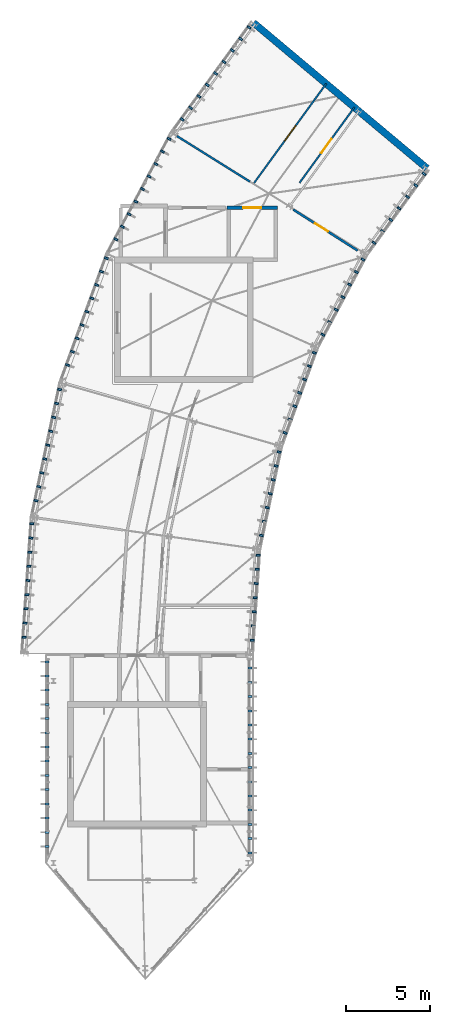
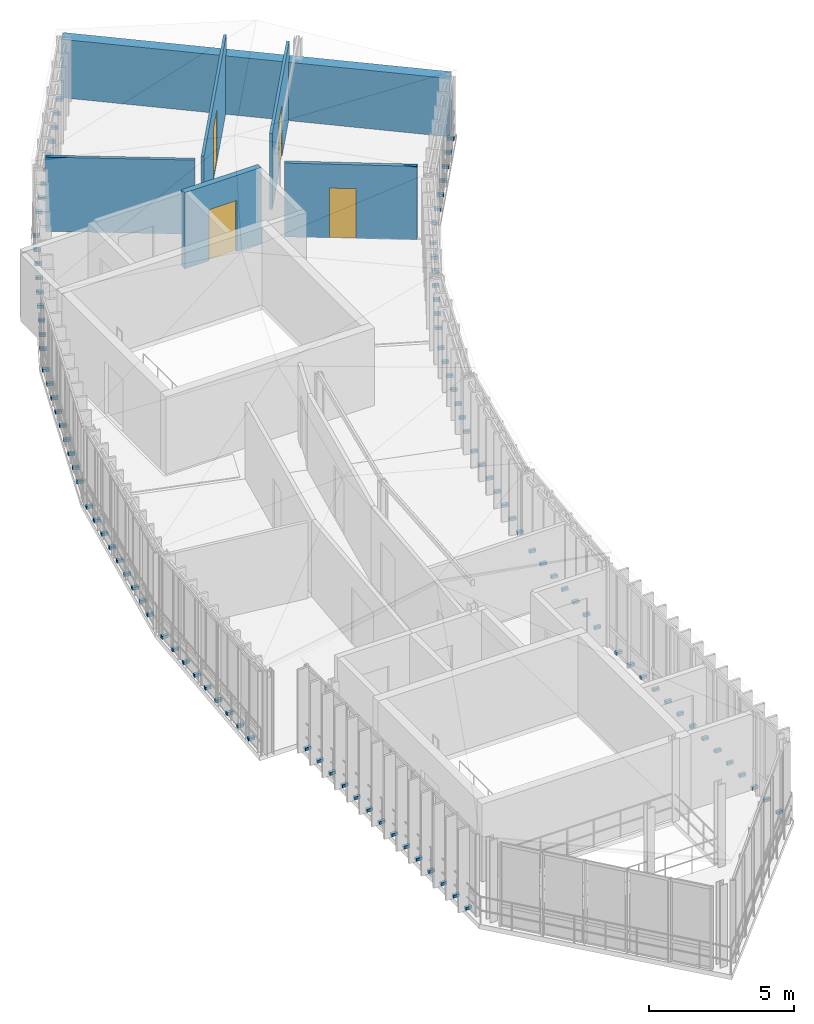
# One storey, part 15 of 18: 108 discrete accessories, 6 walls, 4 doors, 4 openings.
"""IFC4 building model written with IfcOpenShell, lengths in metres."""

from ifc_helpers import new_model, si_unit, direction, frame, frame_2d, origin, origin_2d, place, context, subcontext, project, spatial, rectangle, extrude, material, layer, layer_set, type_object, element, fill, save


model = new_model("IFC4")

# Units and contexts
model_context = context("Model", 3, precision=1e-05, world=origin(), true_north=direction((0.0, 1.0)))
body_context = subcontext(model_context, "Body", "Model", "MODEL_VIEW")
ifc_project = project(units=[si_unit("LENGTHUNIT", "METRE"), si_unit("AREAUNIT", "SQUARE_METRE"), si_unit("VOLUMEUNIT", "CUBIC_METRE"), si_unit("PLANEANGLEUNIT", "RADIAN"), si_unit("MASSUNIT", "GRAM", prefix="KILO"), si_unit("THERMODYNAMICTEMPERATUREUNIT", "KELVIN"), si_unit("POWERUNIT", "WATT")], contexts=[model_context])

# Site, building, storey
site_placement = place(None, origin())
site = spatial("IfcSite", under=ifc_project, at=site_placement, CompositionType="ELEMENT")
building_placement = place(site_placement, origin())
building = spatial("IfcBuilding", under=site, at=building_placement, Name="Solvatero Civic Police Headquarters", CompositionType="ELEMENT")
storey_placement = place(building_placement, frame((0.0, 0.0, 29.39990234375)))
storey = spatial("IfcBuildingStorey", under=building, at=storey_placement, Name="L07", CompositionType="ELEMENT", Elevation=29.39990234375)

# Wall
ifc_material_1 = material(Name="Cream Limestone Ashlar", Category="masonry")
ifc_layer_1 = layer(ifc_material_1, 0.419921875)
ifc_layer_set_1 = layer_set([ifc_layer_1], Name="Cream Limestone Ashlar")
wall_type_1 = type_object("IfcWallType", Name="WL-EXT-LIME-420", PredefinedType="SOLIDWALL", material=ifc_layer_set_1)
wall_1_placement = place(storey_placement, frame((59.359619140625, 55.06689453125, 0.0), z_axis=(0.0, 0.0, 1.0), x_axis=(-0.766044541589, 0.642787492334, 0.0)))
element("IfcWall", 1, at=wall_1_placement, inside=storey, type_object=wall_type_1, Name="Exterior Wall WLE-L07-ARC-END-E", PredefinedType="SOLIDWALL", context=body_context, shape_type="SweptSolid", body=[
    extrude(rectangle(XDim=13.56005859375, YDim=0.419921875, at=frame_2d((6.780029296875, 0.0))), origin(), (0.0, 0.0, 1.0), 2.4501953125),
])

# Wall, opening, door
ifc_material_2 = material(Name="Gypsum Acoustic Stud", Category="gypsum")
ifc_layer_2 = layer(ifc_material_2, 0.10009765625)
ifc_layer_set_2 = layer_set([ifc_layer_2], Name="Gypsum Acoustic Stud")
wall_type_2 = type_object("IfcWallType", Name="WL-PTN-100", PredefinedType="PARTITIONING", material=ifc_layer_set_2)
wall_2_placement = place(storey_placement, frame((55.00830078125, 58.718017578125, 0.0), z_axis=(0.0, 0.0, 1.0), x_axis=(-0.587773920785, -0.809025227076, 0.0)))
wall_2 = element("IfcWall", 2, at=wall_2_placement, inside=storey, type_object=wall_type_2, Name="Interior Partition WLP-L07-ARC-CIN-B08", PredefinedType="PARTITIONING", context=body_context, shape_type="SweptSolid", body=[
    extrude(rectangle(XDim=5.58447265625, YDim=0.10009765625, at=frame_2d((2.792236328125, 0.0))), origin(), (0.0, 0.0, 1.0), 3.2001953125),
])
opening_1_placement = place(wall_2_placement, frame((2.344970703125, 0.0, 0.0)))
opening_1 = element("IfcOpeningElement", 3, at=opening_1_placement, cuts=wall_2, Name="Opening ID-06", PredefinedType="OPENING", context=body_context, shape_type="SweptSolid", body=[
    extrude(rectangle(XDim=1.02001953125, YDim=2.179931640625, at=frame_2d((0.510009765625, 1.08984375))), frame((0.0, 0.06005859375, 0.0), z_axis=(0.0, -1.0, 0.0), x_axis=(1.0, 0.0, 0.0)), (0.0, 0.0, 1.0), 0.1201171875),
])
ifc_material_3 = material(Name="Powder-Coated Steel", Category="steel")
door_type_1 = type_object("IfcDoorType", Name="DR-LAB-102x218", OperationType="NOTDEFINED", PredefinedType="DOOR", material=ifc_material_3)
door_1_placement = place(opening_1_placement, origin())
door_1 = element("IfcDoor", 4, at=door_1_placement, inside=storey, type_object=door_type_1, Name="Interior Door DR-L07-ARC-IN-B08", OperationType="SINGLE_SWING_LEFT", OverallHeight=2.179931640625, OverallWidth=1.02001953125, PredefinedType="DOOR", context=body_context, shape_type="SweptSolid", body=[
    extrude(rectangle(XDim=1.02001953125, YDim=2.179931640625, at=frame_2d((0.510009765625, 1.08984375))), frame((0.0, 0.02490234375, 0.0), z_axis=(0.0, -1.0, 0.0), x_axis=(1.0, 0.0, 0.0)), (0.0, 0.0, 1.0), 0.050048828125),
])
fill(opening_1, door_1)

wall_3_placement = place(storey_placement, frame((53.322998046875, 60.132080078125, 0.0), z_axis=(0.0, 0.0, 1.0), x_axis=(-0.587773694682, -0.809025391344, 0.0)))
wall_3 = element("IfcWall", 5, at=wall_3_placement, inside=storey, type_object=wall_type_2, Name="Interior Partition WLP-L07-ARC-COUT-B08", PredefinedType="PARTITIONING", context=body_context, shape_type="SweptSolid", body=[
    extrude(rectangle(XDim=7.33251953125, YDim=0.10009765625, at=frame_2d((3.666259765625, 0.0))), origin(), (0.0, 0.0, 1.0), 3.2001953125),
])
opening_2_placement = place(wall_3_placement, frame((3.080078125, 0.0, 0.0)))
opening_2 = element("IfcOpeningElement", 6, at=opening_2_placement, cuts=wall_3, Name="Opening ID-10", PredefinedType="OPENING", context=body_context, shape_type="SweptSolid", body=[
    extrude(rectangle(XDim=1.14990234375, YDim=2.199951171875, at=frame_2d((0.574951171875, 1.10009765625))), frame((0.0, 0.06005859375, 0.0), z_axis=(0.0, -1.0, 0.0), x_axis=(1.0, 0.0, 0.0)), (0.0, 0.0, 1.0), 0.1201171875),
])
door_type_2 = type_object("IfcDoorType", Name="DR-COR-115x220", OperationType="NOTDEFINED", PredefinedType="DOOR", material=ifc_material_3)
door_2_placement = place(opening_2_placement, origin())
door_2 = element("IfcDoor", 7, at=door_2_placement, inside=storey, type_object=door_type_2, Name="Interior Door DR-L07-ARC-OUT-B08", OperationType="SINGLE_SWING_RIGHT", OverallHeight=2.199951171875, OverallWidth=1.14990234375, PredefinedType="DOOR", context=body_context, shape_type="SweptSolid", body=[
    extrude(rectangle(XDim=1.14990234375, YDim=2.199951171875, at=frame_2d((0.574951171875, 1.10009765625))), frame((0.0, 0.02490234375, 0.0), z_axis=(0.0, -1.0, 0.0), x_axis=(1.0, 0.0, 0.0)), (0.0, 0.0, 1.0), 0.050048828125),
])
fill(opening_2, door_2)

# Wall
ifc_layer_3 = layer(ifc_material_2, 0.1201171875)
ifc_layer_set_3 = layer_set([ifc_layer_3], Name="Gypsum Acoustic Stud")
wall_type_3 = type_object("IfcWallType", Name="WL-PTN-120", PredefinedType="PARTITIONING", material=ifc_layer_set_3)
wall_4_placement = place(storey_placement, frame((48.756591796875, 54.271240234375, 0.0), z_axis=(0.0, 0.0, 1.0), x_axis=(-0.848054228257, 0.529909450694, 0.0)))
element("IfcWall", 8, at=wall_4_placement, inside=storey, type_object=wall_type_3, Name="Interior Partition WLP-L07-ARC-RAD-B08", PredefinedType="PARTITIONING", context=body_context, shape_type="SweptSolid", body=[
    extrude(rectangle(XDim=5.14990234375, YDim=0.1201171875, at=frame_2d((2.574951171875, 0.0))), origin(), (0.0, 0.0, 1.0), 3.115234375),
])

# Wall, opening, door
ifc_material_4 = material(Name="Gypsum Double-Stud", Category="gypsum")
ifc_layer_4 = layer(ifc_material_4, 0.135009765625)
ifc_layer_set_4 = layer_set([ifc_layer_4], Name="Gypsum Double-Stud")
wall_type_4 = type_object("IfcWallType", Name="WL-PTN-135", PredefinedType="PARTITIONING", material=ifc_layer_set_4)
wall_5_placement = place(storey_placement, frame((51.35009765625, 52.60009765625, 0.0), z_axis=(0.0, 0.0, 1.0), x_axis=(0.84363284859, -0.536920493909, 0.0)))
wall_5 = element("IfcWall", 9, at=wall_5_placement, inside=storey, type_object=wall_type_4, Name="Interior Partition WLP-L07-ARC-CIN-B09C", PredefinedType="PARTITIONING", context=body_context, shape_type="SweptSolid", body=[
    extrude(rectangle(XDim=4.5634765625, YDim=0.135009765625, at=frame_2d((2.28173828125, 0.0))), origin(), (0.0, 0.0, 1.0), 3.10205078125),
])
opening_3_placement = place(wall_5_placement, frame((1.550048828125, 0.0, 0.0)))
opening_3 = element("IfcOpeningElement", 10, at=opening_3_placement, cuts=wall_5, Name="Opening ID-02", PredefinedType="OPENING", context=body_context, shape_type="SweptSolid", body=[
    extrude(rectangle(XDim=0.89990234375, YDim=2.10009765625, at=frame_2d((0.449951171875, 1.050048828125))), frame((0.0, 0.077392578125, 0.0), z_axis=(0.0, -1.0, 0.0), x_axis=(1.0, 0.0, 0.0)), (0.0, 0.0, 1.0), 0.155029296875),
])
ifc_material_5 = material(Name="Acoustic Oak Timber Veneer", Category="wood")
door_type_3 = type_object("IfcDoorType", Name="DR-OFF-090x210", OperationType="NOTDEFINED", PredefinedType="DOOR", material=ifc_material_5)
door_3_placement = place(opening_3_placement, origin())
door_3 = element("IfcDoor", 11, at=door_3_placement, inside=storey, type_object=door_type_3, Name="Interior Door DR-L07-ARC-IN-B09", OperationType="SINGLE_SWING_RIGHT", OverallHeight=2.10009765625, OverallWidth=0.89990234375, PredefinedType="DOOR", context=body_context, shape_type="SweptSolid", body=[
    extrude(rectangle(XDim=0.89990234375, YDim=2.10009765625, at=frame_2d((0.449951171875, 1.050048828125))), frame((0.0, 0.02490234375, 0.0), z_axis=(0.0, -1.0, 0.0), x_axis=(1.0, 0.0, 0.0)), (0.0, 0.0, 1.0), 0.050048828125),
])
fill(opening_3, door_3)

ifc_material_6 = material(Name="Concrete C35/45", Category="concrete")
ifc_layer_5 = layer(ifc_material_6, 0.219970703125)
ifc_layer_set_5 = layer_set([ifc_layer_5], Name="Concrete C35/45")
wall_type_5 = type_object("IfcWallType", Name="WL-SHF-220", PredefinedType="PARTITIONING", material=ifc_layer_set_5)
wall_6_placement = place(storey_placement, frame((47.3798828125, 52.7099609375, 0.0), z_axis=(0.0, 0.0, 1.0), x_axis=(1.0, 0.0, 0.0)))
wall_6 = element("IfcWall", 12, at=wall_6_placement, inside=storey, type_object=wall_type_5, Name="Lift Shaft Wall WLS-LP-03-L07-N", PredefinedType="PARTITIONING", context=body_context, shape_type="SweptSolid", body=[
    extrude(rectangle(XDim=3.0400390625, YDim=0.219970703125, at=frame_2d((1.52001953125, 0.0))), origin(), (0.0, 0.0, 1.0), 3.2001953125),
])
opening_4_placement = place(wall_6_placement, frame((0.969970703125, 0.0, 0.0)))
opening_4 = element("IfcOpeningElement", 13, at=opening_4_placement, cuts=wall_6, Name="Opening LD-01", PredefinedType="OPENING", context=body_context, shape_type="SweptSolid", body=[
    extrude(rectangle(XDim=1.10009765625, YDim=2.14990234375, at=frame_2d((0.550048828125, 1.074951171875))), frame((0.0, 0.119873046875, 0.0), z_axis=(0.0, -1.0, 0.0), x_axis=(1.0, 0.0, 0.0)), (0.0, 0.0, 1.0), 0.239990234375),
])
ifc_material_7 = material(Name="Stainless Steel Grade 316", Category="steel")
door_type_4 = type_object("IfcDoorType", Name="DR-LFT-110x215", OperationType="DOUBLE_DOOR_SLIDING", PredefinedType="DOOR", material=ifc_material_7)
door_4_placement = place(opening_4_placement, origin())
door_4 = element("IfcDoor", 14, at=door_4_placement, inside=storey, type_object=door_type_4, Name="Interior Door DR-LFT-LP-03-L07", OperationType="DOUBLE_DOOR_SLIDING", OverallHeight=2.14990234375, OverallWidth=1.10009765625, PredefinedType="DOOR", context=body_context, shape_type="SweptSolid", body=[
    extrude(rectangle(XDim=1.10009765625, YDim=2.14990234375, at=frame_2d((0.550048828125, 1.074951171875))), frame((0.0, 0.02490234375, 0.0), z_axis=(0.0, -1.0, 0.0), x_axis=(1.0, 0.0, 0.0)), (0.0, 0.0, 1.0), 0.050048828125),
])
fill(opening_4, door_4)

# Discrete accessories
ifc_material_8 = material(Name="Steel S355", Category="steel")
discrete_accessory_type = type_object("IfcDiscreteAccessoryType", Name="ACC-BRK-FIN", PredefinedType="BRACKET", material=ifc_material_8)
for number, where, z_axis, x_axis, name in (
    (15, (48.702880859375, 63.49755859375, 0.0), (0.0, 0.0, 1.0), (-0.587785252292, -0.809016994375, 0.0), "Slab-Edge Fin Bracket 1374"),
    (16, (48.203369140625, 62.809814453125, 0.0), (0.0, 0.0, 1.0), (-0.587785252292, -0.809016994375, 0.0), "Slab-Edge Fin Bracket 1375"),
    (17, (47.703857421875, 62.122314453125, 0.0), (0.0, 0.0, 1.0), (-0.587785252292, -0.809016994375, 0.0), "Slab-Edge Fin Bracket 1376"),
    (18, (47.2041015625, 61.4345703125, 0.0), (0.0, 0.0, 1.0), (-0.587785252292, -0.809016994375, 0.0), "Slab-Edge Fin Bracket 1377"),
    (19, (46.70458984375, 60.746826171875, 0.0), (0.0, 0.0, 1.0), (-0.587785252292, -0.809016994375, 0.0), "Slab-Edge Fin Bracket 1378"),
    (20, (46.204833984375, 60.05908203125, 0.0), (0.0, 0.0, 1.0), (-0.587785252292, -0.809016994375, 0.0), "Slab-Edge Fin Bracket 1379"),
    (21, (45.705322265625, 59.37158203125, 0.0), (0.0, 0.0, 1.0), (-0.587785252292, -0.809016994375, 0.0), "Slab-Edge Fin Bracket 1380"),
    (22, (45.205810546875, 58.683837890625, 0.0), (0.0, 0.0, 1.0), (-0.587785252292, -0.809016994375, 0.0), "Slab-Edge Fin Bracket 1381"),
    (23, (44.7060546875, 57.99609375, 0.0), (0.0, 0.0, 1.0), (-0.587785252292, -0.809016994375, 0.0), "Slab-Edge Fin Bracket 1382"),
    (24, (59.181640625, 54.737548828125, 0.0), (0.0, 0.0, 1.0), (-0.587785252292, -0.809016994375, 0.0), "Slab-Edge Fin Bracket 1383"),
    (25, (58.68212890625, 54.0498046875, 0.0), (0.0, 0.0, 1.0), (-0.587785252292, -0.809016994375, 0.0), "Slab-Edge Fin Bracket 1384"),
    (26, (58.1826171875, 53.3623046875, 0.0), (0.0, 0.0, 1.0), (-0.587785252292, -0.809016994375, 0.0), "Slab-Edge Fin Bracket 1385"),
    (27, (57.682861328125, 52.674560546875, 0.0), (0.0, 0.0, 1.0), (-0.587785252292, -0.809016994375, 0.0), "Slab-Edge Fin Bracket 1386"),
    (28, (57.18310546875, 51.98681640625, 0.0), (0.0, 0.0, 1.0), (-0.587785252292, -0.809016994375, 0.0), "Slab-Edge Fin Bracket 1387"),
    (29, (56.68359375, 51.29931640625, 0.0), (0.0, 0.0, 1.0), (-0.587785252292, -0.809016994375, 0.0), "Slab-Edge Fin Bracket 1388"),
    (30, (56.18408203125, 50.611572265625, 0.0), (0.0, 0.0, 1.0), (-0.587785252292, -0.809016994375, 0.0), "Slab-Edge Fin Bracket 1389"),
    (31, (43.92529296875, 56.82861328125, 0.0), (0.0, 0.0, 1.0), (-0.469471562786, -0.882947592859, 0.0), "Slab-Edge Fin Bracket 1390"),
    (32, (43.526123046875, 56.077880859375, 0.0), (0.0, 0.0, 1.0), (-0.469471562786, -0.882947592859, 0.0), "Slab-Edge Fin Bracket 1391"),
    (33, (43.126953125, 55.327392578125, 0.0), (0.0, 0.0, 1.0), (-0.469471562786, -0.882947592859, 0.0), "Slab-Edge Fin Bracket 1392"),
    (34, (42.72802734375, 54.576904296875, 0.0), (0.0, 0.0, 1.0), (-0.469471562786, -0.882947592859, 0.0), "Slab-Edge Fin Bracket 1393"),
    (35, (42.328857421875, 53.826416015625, 0.0), (0.0, 0.0, 1.0), (-0.469471562786, -0.882947592859, 0.0), "Slab-Edge Fin Bracket 1394"),
    (36, (41.929931640625, 53.075927734375, 0.0), (0.0, 0.0, 1.0), (-0.469471562786, -0.882947592859, 0.0), "Slab-Edge Fin Bracket 1395"),
    (37, (41.53076171875, 52.325439453125, 0.0), (0.0, 0.0, 1.0), (-0.469471562786, -0.882947592859, 0.0), "Slab-Edge Fin Bracket 1396"),
    (38, (41.1318359375, 51.574951171875, 0.0), (0.0, 0.0, 1.0), (-0.469471562786, -0.882947592859, 0.0), "Slab-Edge Fin Bracket 1397"),
    (39, (40.732666015625, 50.824462890625, 0.0), (0.0, 0.0, 1.0), (-0.469471562786, -0.882947592859, 0.0), "Slab-Edge Fin Bracket 1398"),
    (40, (55.52099609375, 49.612060546875, 0.0), (0.0, 0.0, 1.0), (-0.469486973057, -0.8829393989, 0.0), "Slab-Edge Fin Bracket 1399"),
    (41, (55.1220703125, 48.861572265625, 0.0), (0.0, 0.0, 1.0), (-0.469486973057, -0.8829393989, 0.0), "Slab-Edge Fin Bracket 1400"),
    (42, (54.722900390625, 48.111083984375, 0.0), (0.0, 0.0, 1.0), (-0.469486973057, -0.8829393989, 0.0), "Slab-Edge Fin Bracket 1401"),
    (43, (54.323974609375, 47.360595703125, 0.0), (0.0, 0.0, 1.0), (-0.469486973057, -0.8829393989, 0.0), "Slab-Edge Fin Bracket 1402"),
    (44, (53.9248046875, 46.610107421875, 0.0), (0.0, 0.0, 1.0), (-0.469486973057, -0.8829393989, 0.0), "Slab-Edge Fin Bracket 1403"),
    (45, (53.52587890625, 45.859619140625, 0.0), (0.0, 0.0, 1.0), (-0.469486973057, -0.8829393989, 0.0), "Slab-Edge Fin Bracket 1404"),
    (46, (53.126708984375, 45.10888671875, 0.0), (0.0, 0.0, 1.0), (-0.469486973057, -0.8829393989, 0.0), "Slab-Edge Fin Bracket 1405"),
    (47, (40.16845703125, 49.687255859375, 0.0), (0.0, 0.0, 1.0), (-0.342020143326, -0.939692620786, 0.0), "Slab-Edge Fin Bracket 1406"),
    (48, (39.877685546875, 48.888427734375, 0.0), (0.0, 0.0, 1.0), (-0.342020143326, -0.939692620786, 0.0), "Slab-Edge Fin Bracket 1407"),
    (49, (39.587158203125, 48.08984375, 0.0), (0.0, 0.0, 1.0), (-0.342020143326, -0.939692620786, 0.0), "Slab-Edge Fin Bracket 1408"),
    (50, (39.29638671875, 47.291015625, 0.0), (0.0, 0.0, 1.0), (-0.342020143326, -0.939692620786, 0.0), "Slab-Edge Fin Bracket 1409"),
    (51, (39.005615234375, 46.4921875, 0.0), (0.0, 0.0, 1.0), (-0.342020143326, -0.939692620786, 0.0), "Slab-Edge Fin Bracket 1410"),
    (52, (38.71484375, 45.693603515625, 0.0), (0.0, 0.0, 1.0), (-0.342020143326, -0.939692620786, 0.0), "Slab-Edge Fin Bracket 1411"),
    (53, (38.42431640625, 44.894775390625, 0.0), (0.0, 0.0, 1.0), (-0.342020143326, -0.939692620786, 0.0), "Slab-Edge Fin Bracket 1412"),
    (54, (38.133544921875, 44.09619140625, 0.0), (0.0, 0.0, 1.0), (-0.342020143326, -0.939692620786, 0.0), "Slab-Edge Fin Bracket 1413"),
    (55, (37.8427734375, 43.29736328125, 0.0), (0.0, 0.0, 1.0), (-0.342020143326, -0.939692620786, 0.0), "Slab-Edge Fin Bracket 1414"),
    (56, (52.609375, 44.027099609375, 0.0), (0.0, 0.0, 1.0), (-0.342003742543, -0.93969859002, 0.0), "Slab-Edge Fin Bracket 1415"),
    (57, (52.318603515625, 43.228271484375, 0.0), (0.0, 0.0, 1.0), (-0.342003742543, -0.93969859002, 0.0), "Slab-Edge Fin Bracket 1416"),
    (58, (52.02783203125, 42.4296875, 0.0), (0.0, 0.0, 1.0), (-0.342003742543, -0.93969859002, 0.0), "Slab-Edge Fin Bracket 1417"),
    (59, (51.7373046875, 41.630859375, 0.0), (0.0, 0.0, 1.0), (-0.342003742543, -0.93969859002, 0.0), "Slab-Edge Fin Bracket 1418"),
    (60, (51.446533203125, 40.83203125, 0.0), (0.0, 0.0, 1.0), (-0.342003742543, -0.93969859002, 0.0), "Slab-Edge Fin Bracket 1419"),
    (61, (51.15576171875, 40.033447265625, 0.0), (0.0, 0.0, 1.0), (-0.342003742543, -0.93969859002, 0.0), "Slab-Edge Fin Bracket 1420"),
    (62, (50.864990234375, 39.234619140625, 0.0), (0.0, 0.0, 1.0), (-0.342003742543, -0.93969859002, 0.0), "Slab-Edge Fin Bracket 1421"),
    (63, (37.367431640625, 41.831787109375, 0.0), (0.0, 0.0, 1.0), (-0.20789461889, -0.978151229328, 0.0), "Slab-Edge Fin Bracket 1422"),
    (64, (37.190673828125, 41.000244140625, 0.0), (0.0, 0.0, 1.0), (-0.20789461889, -0.978151229328, 0.0), "Slab-Edge Fin Bracket 1423"),
    (65, (37.013916015625, 40.1689453125, 0.0), (0.0, 0.0, 1.0), (-0.20789461889, -0.978151229328, 0.0), "Slab-Edge Fin Bracket 1424"),
    (66, (36.837158203125, 39.33740234375, 0.0), (0.0, 0.0, 1.0), (-0.20789461889, -0.978151229328, 0.0), "Slab-Edge Fin Bracket 1425"),
    (67, (36.660400390625, 38.506103515625, 0.0), (0.0, 0.0, 1.0), (-0.20789461889, -0.978151229328, 0.0), "Slab-Edge Fin Bracket 1426"),
    (68, (36.48388671875, 37.674560546875, 0.0), (0.0, 0.0, 1.0), (-0.20789461889, -0.978151229328, 0.0), "Slab-Edge Fin Bracket 1427"),
    (69, (36.30712890625, 36.84326171875, 0.0), (0.0, 0.0, 1.0), (-0.20789461889, -0.978151229328, 0.0), "Slab-Edge Fin Bracket 1428"),
    (70, (36.13037109375, 36.01171875, 0.0), (0.0, 0.0, 1.0), (-0.20789461889, -0.978151229328, 0.0), "Slab-Edge Fin Bracket 1429"),
    (71, (35.95361328125, 35.180419921875, 0.0), (0.0, 0.0, 1.0), (-0.20789461889, -0.978151229328, 0.0), "Slab-Edge Fin Bracket 1430"),
    (72, (50.50341796875, 38.09130859375, 0.0), (0.0, 0.0, 1.0), (-0.207911690818, -0.978147600734, 0.0), "Slab-Edge Fin Bracket 1431"),
    (73, (50.32666015625, 37.259765625, 0.0), (0.0, 0.0, 1.0), (-0.207911690818, -0.978147600734, 0.0), "Slab-Edge Fin Bracket 1432"),
    (74, (50.14990234375, 36.42822265625, 0.0), (0.0, 0.0, 1.0), (-0.207911690818, -0.978147600734, 0.0), "Slab-Edge Fin Bracket 1433"),
    (75, (49.97314453125, 35.596923828125, 0.0), (0.0, 0.0, 1.0), (-0.207911690818, -0.978147600734, 0.0), "Slab-Edge Fin Bracket 1434"),
    (76, (49.79638671875, 34.765380859375, 0.0), (0.0, 0.0, 1.0), (-0.207911690818, -0.978147600734, 0.0), "Slab-Edge Fin Bracket 1435"),
    (77, (49.61962890625, 33.93408203125, 0.0), (0.0, 0.0, 1.0), (-0.207911690818, -0.978147600734, 0.0), "Slab-Edge Fin Bracket 1436"),
    (78, (49.44287109375, 33.1025390625, 0.0), (0.0, 0.0, 1.0), (-0.207911690818, -0.978147600734, 0.0), "Slab-Edge Fin Bracket 1437"),
    (79, (35.715087890625, 33.7958984375, 0.0), (0.0, 0.0, 1.0), (-0.069739062956, -0.997565267588, 0.0), "Slab-Edge Fin Bracket 1438"),
    (80, (35.656005859375, 32.947998046875, 0.0), (0.0, 0.0, 1.0), (-0.069739062956, -0.997565267588, 0.0), "Slab-Edge Fin Bracket 1439"),
    (81, (35.5966796875, 32.10009765625, 0.0), (0.0, 0.0, 1.0), (-0.069739062956, -0.997565267588, 0.0), "Slab-Edge Fin Bracket 1440"),
    (82, (35.537353515625, 31.252197265625, 0.0), (0.0, 0.0, 1.0), (-0.069739062956, -0.997565267588, 0.0), "Slab-Edge Fin Bracket 1441"),
    (83, (35.47802734375, 30.404296875, 0.0), (0.0, 0.0, 1.0), (-0.069739062956, -0.997565267588, 0.0), "Slab-Edge Fin Bracket 1442"),
    (84, (35.418701171875, 29.556396484375, 0.0), (0.0, 0.0, 1.0), (-0.069739062956, -0.997565267588, 0.0), "Slab-Edge Fin Bracket 1443"),
    (85, (35.359619140625, 28.70849609375, 0.0), (0.0, 0.0, 1.0), (-0.069739062956, -0.997565267588, 0.0), "Slab-Edge Fin Bracket 1444"),
    (86, (35.30029296875, 27.860595703125, 0.0), (0.0, 0.0, 1.0), (-0.069739062956, -0.997565267588, 0.0), "Slab-Edge Fin Bracket 1445"),
    (87, (35.240966796875, 27.0126953125, 0.0), (0.0, 0.0, 1.0), (-0.069739062956, -0.997565267588, 0.0), "Slab-Edge Fin Bracket 1446"),
    (88, (49.243896484375, 31.919921875, 0.0), (0.0, 0.0, 1.0), (-0.069773884511, -0.997562832628, 0.0), "Slab-Edge Fin Bracket 1447"),
    (89, (49.1845703125, 31.072021484375, 0.0), (0.0, 0.0, 1.0), (-0.069773884511, -0.997562832628, 0.0), "Slab-Edge Fin Bracket 1448"),
    (90, (49.125244140625, 30.22412109375, 0.0), (0.0, 0.0, 1.0), (-0.069773884511, -0.997562832628, 0.0), "Slab-Edge Fin Bracket 1449"),
    (91, (49.06591796875, 29.376220703125, 0.0), (0.0, 0.0, 1.0), (-0.069773884511, -0.997562832628, 0.0), "Slab-Edge Fin Bracket 1450"),
    (92, (49.006591796875, 28.5283203125, 0.0), (0.0, 0.0, 1.0), (-0.069773884511, -0.997562832628, 0.0), "Slab-Edge Fin Bracket 1451"),
    (93, (48.947509765625, 27.68017578125, 0.0), (0.0, 0.0, 1.0), (-0.069773884511, -0.997562832628, 0.0), "Slab-Edge Fin Bracket 1452"),
    (94, (48.88818359375, 26.832275390625, 0.0), (0.0, 0.0, 1.0), (-0.069773884511, -0.997562832628, 0.0), "Slab-Edge Fin Bracket 1453"),
    (95, (36.6298828125, 25.5400390625, 0.0), (0.0, 0.0, 1.0), (0.0, -1.0, 0.0), "Slab-Edge Fin Bracket 1454"),
    (96, (36.6298828125, 24.68994140625, 0.0), (0.0, 0.0, 1.0), (0.0, -1.0, 0.0), "Slab-Edge Fin Bracket 1455"),
    (97, (36.6298828125, 23.840087890625, 0.0), (0.0, 0.0, 1.0), (0.0, -1.0, 0.0), "Slab-Edge Fin Bracket 1456"),
    (98, (36.6298828125, 22.989990234375, 0.0), (0.0, 0.0, 1.0), (0.0, -1.0, 0.0), "Slab-Edge Fin Bracket 1457"),
    (99, (36.6298828125, 22.139892578125, 0.0), (0.0, 0.0, 1.0), (0.0, -1.0, 0.0), "Slab-Edge Fin Bracket 1458"),
    (100, (36.6298828125, 21.2900390625, 0.0), (0.0, 0.0, 1.0), (0.0, -1.0, 0.0), "Slab-Edge Fin Bracket 1459"),
    (101, (36.6298828125, 20.43994140625, 0.0), (0.0, 0.0, 1.0), (0.0, -1.0, 0.0), "Slab-Edge Fin Bracket 1460"),
    (102, (36.6298828125, 19.590087890625, 0.0), (0.0, 0.0, 1.0), (0.0, -1.0, 0.0), "Slab-Edge Fin Bracket 1461"),
    (103, (36.6298828125, 18.739990234375, 0.0), (0.0, 0.0, 1.0), (0.0, -1.0, 0.0), "Slab-Edge Fin Bracket 1462"),
    (104, (36.6298828125, 17.889892578125, 0.0), (0.0, 0.0, 1.0), (0.0, -1.0, 0.0), "Slab-Edge Fin Bracket 1463"),
    (105, (36.6298828125, 17.0400390625, 0.0), (0.0, 0.0, 1.0), (0.0, -1.0, 0.0), "Slab-Edge Fin Bracket 1464"),
    (106, (36.6298828125, 16.18994140625, 0.0), (0.0, 0.0, 1.0), (0.0, -1.0, 0.0), "Slab-Edge Fin Bracket 1465"),
    (107, (36.6298828125, 15.340087890625, 0.0), (0.0, 0.0, 1.0), (0.0, -1.0, 0.0), "Slab-Edge Fin Bracket 1466"),
    (108, (36.6298828125, 14.489990234375, 0.0), (0.0, 0.0, 1.0), (0.0, -1.0, 0.0), "Slab-Edge Fin Bracket 1467"),
    (109, (48.77001953125, 14.110107421875, 0.0), (0.0, 0.0, 1.0), (0.0, 1.0, 0.0), "Slab-Edge Fin Bracket 1468"),
    (110, (48.77001953125, 14.9599609375, 0.0), (0.0, 0.0, 1.0), (0.0, 1.0, 0.0), "Slab-Edge Fin Bracket 1469"),
    (111, (48.77001953125, 15.81005859375, 0.0), (0.0, 0.0, 1.0), (0.0, 1.0, 0.0), "Slab-Edge Fin Bracket 1470"),
    (112, (48.77001953125, 16.659912109375, 0.0), (0.0, 0.0, 1.0), (0.0, 1.0, 0.0), "Slab-Edge Fin Bracket 1471"),
    (113, (48.77001953125, 17.510009765625, 0.0), (0.0, 0.0, 1.0), (0.0, 1.0, 0.0), "Slab-Edge Fin Bracket 1472"),
    (114, (48.77001953125, 18.360107421875, 0.0), (0.0, 0.0, 1.0), (0.0, 1.0, 0.0), "Slab-Edge Fin Bracket 1473"),
    (115, (48.77001953125, 19.2099609375, 0.0), (0.0, 0.0, 1.0), (0.0, 1.0, 0.0), "Slab-Edge Fin Bracket 1474"),
    (116, (48.77001953125, 20.06005859375, 0.0), (0.0, 0.0, 1.0), (0.0, 1.0, 0.0), "Slab-Edge Fin Bracket 1475"),
    (117, (48.77001953125, 20.909912109375, 0.0), (0.0, 0.0, 1.0), (0.0, 1.0, 0.0), "Slab-Edge Fin Bracket 1476"),
    (118, (48.77001953125, 21.760009765625, 0.0), (0.0, 0.0, 1.0), (0.0, 1.0, 0.0), "Slab-Edge Fin Bracket 1477"),
    (119, (48.77001953125, 22.610107421875, 0.0), (0.0, 0.0, 1.0), (0.0, 1.0, 0.0), "Slab-Edge Fin Bracket 1478"),
    (120, (48.77001953125, 23.4599609375, 0.0), (0.0, 0.0, 1.0), (0.0, 1.0, 0.0), "Slab-Edge Fin Bracket 1479"),
    (121, (48.77001953125, 24.31005859375, 0.0), (0.0, 0.0, 1.0), (0.0, 1.0, 0.0), "Slab-Edge Fin Bracket 1480"),
    (122, (48.77001953125, 25.159912109375, 0.0), (0.0, 0.0, 1.0), (0.0, 1.0, 0.0), "Slab-Edge Fin Bracket 1481"),
):
    element("IfcDiscreteAccessory", number, at=place(storey_placement, frame(where, z_axis=z_axis, x_axis=x_axis)), inside=storey, type_object=discrete_accessory_type, Name=name, PredefinedType="BRACKET", context=body_context, shape_type="SweptSolid", body=[
        extrude(rectangle(XDim=0.1201171875, YDim=0.239990234375, at=origin_2d()), origin(), (0.0, 0.0, 1.0), 0.1201171875),
    ])

save(model, "model.ifc")
